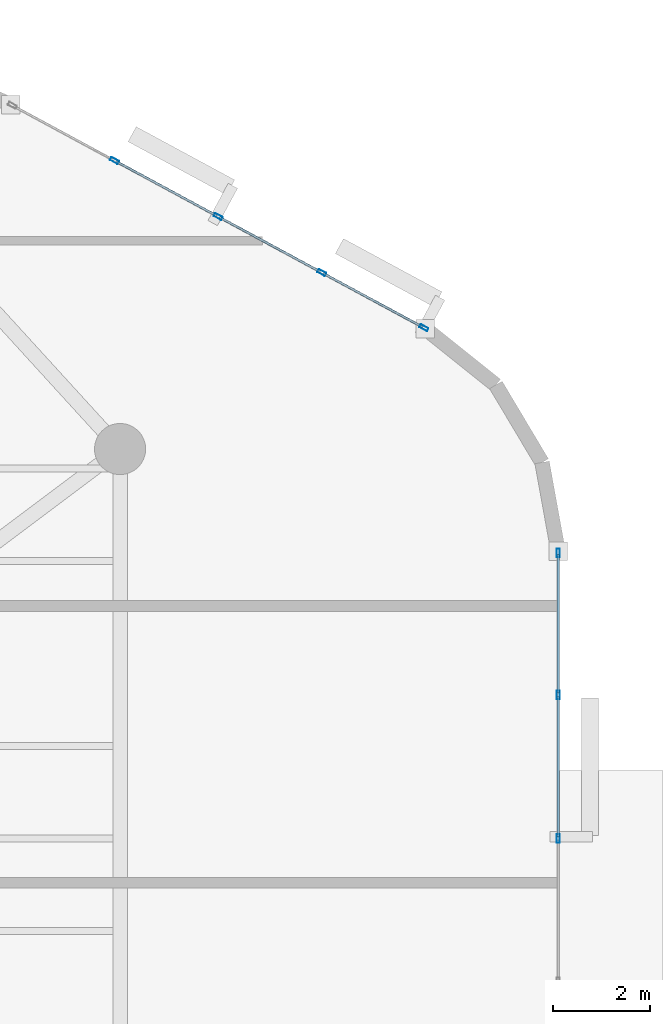
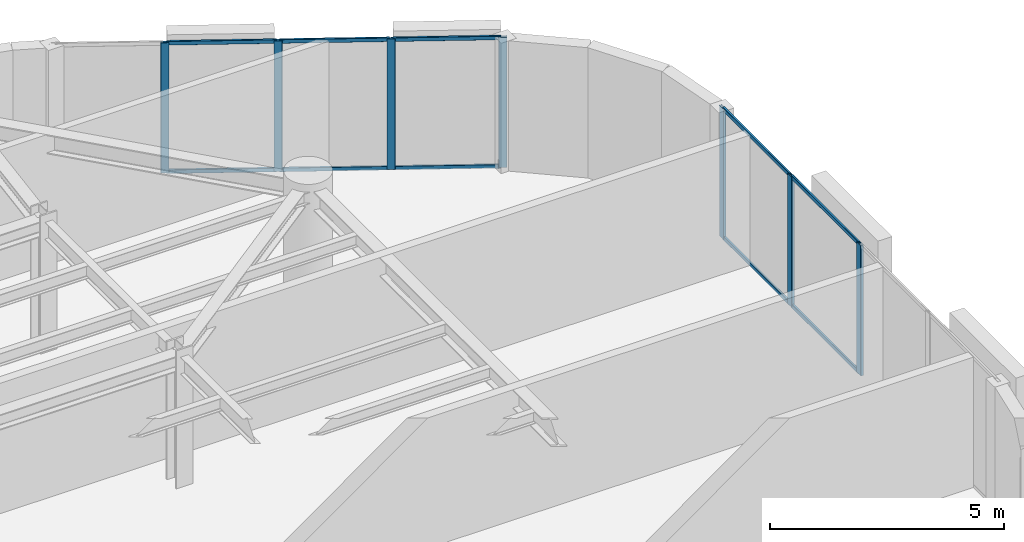
# One storey, part 6 of 13: 17 members, 2 elements without a shape of their own.
"""IFC4 building model written with IfcOpenShell, lengths in metres."""

from ifc_helpers import new_model, si_unit, direction, frame, origin, origin_2d, place, context, subcontext, project, spatial, hollow_rectangle, extrude, material, layer, layer_set, material_profile, profile_set, type_object, element, aggregate, save


model = new_model("IFC4")

# Units and contexts
model_context = context("Model", 3, precision=1e-05, world=origin(), true_north=direction((0.0, 1.0)))
body_context = subcontext(model_context, "Body", "Model", "MODEL_VIEW")
ifc_project = project(units=[si_unit("LENGTHUNIT", "METRE"), si_unit("AREAUNIT", "SQUARE_METRE"), si_unit("VOLUMEUNIT", "CUBIC_METRE"), si_unit("PLANEANGLEUNIT", "RADIAN"), si_unit("MASSUNIT", "GRAM", prefix="KILO")], contexts=[model_context])

# Site, building, storey
site_placement = place(None, origin())
site = spatial("IfcSite", under=ifc_project, at=site_placement, CompositionType="ELEMENT")
building_placement = place(site_placement, origin())
building = spatial("IfcBuilding", under=site, at=building_placement, Name="An Khanh Terracotta Commons", CompositionType="ELEMENT")
storey_placement = place(building_placement, frame((0.0, 0.0, 222.89990234375)))
storey = spatial("IfcBuildingStorey", under=building, at=storey_placement, Name="L58", CompositionType="ELEMENT", Elevation=222.89990234375)

# Curtain wall, members
ifc_material = material(Name="Anodised Aluminium 6063-T6", Category="aluminium")
ifc_layer = layer(ifc_material, 0.2099609375, Name="Anodised Aluminium 6063-T6")
ifc_layer_set = layer_set([ifc_layer], Name="Anodised Aluminium 6063-T6")
curtain_wall_type = type_object("IfcCurtainWallType", Name="CW-SYS-03", PredefinedType="USERDEFINED", material=ifc_layer_set)
curtain_wall_1_placement = place(storey_placement, origin())
curtain_wall_1 = element("IfcCurtainWall", 1, at=curtain_wall_1_placement, inside=storey, type_object=curtain_wall_type, Name="L58 CW-03 Unitised Curtain Wall CW-L58-12", ObjectType="UNITISED CURTAIN WALL", PredefinedType="USERDEFINED")
ifc_material_profile_1 = material_profile(ifc_material, hollow_rectangle(XDim=0.070068359375, YDim=0.179931640625, WallThickness=0.00390625, InnerFilletRadius=0.00390625, OuterFilletRadius=0.008056640625, at=origin_2d()), Name="RHS180x70x4")
ifc_profile_set_1 = profile_set([ifc_material_profile_1], Name="Anodised Aluminium 6063-T6")
member_type_1 = type_object("IfcMemberType", Name="CWM-RHS180x70x4", PredefinedType="MULLION", material=ifc_profile_set_1)
member_1_placement = place(storey_placement, frame((68.60009765625, 24.0, 0.0), z_axis=(0.0, 0.0, 1.0), x_axis=(-1.0, 0.0, 0.0)))
member_1 = element("IfcMember", 2, at=member_1_placement, type_object=member_type_1, Name="CW-03 mullion 3", PredefinedType="MULLION", context=body_context, shape_type="SweptSolid", body=[
    extrude(hollow_rectangle(XDim=0.070068359375, YDim=0.179931640625, WallThickness=0.00390625, InnerFilletRadius=0.00390625, OuterFilletRadius=0.008056640625, at=origin_2d()), origin(), (0.0, 0.0, 1.0), 3.400146484375),
])
member_2_placement = place(storey_placement, frame((68.60009765625, 26.949462890625, 0.0), z_axis=(0.0, 0.0, 1.0), x_axis=(-1.0, 0.0, 0.0)))
member_2 = element("IfcMember", 3, at=member_2_placement, type_object=member_type_1, Name="CW-03 mullion 4", PredefinedType="MULLION", context=body_context, shape_type="SweptSolid", body=[
    extrude(hollow_rectangle(XDim=0.070068359375, YDim=0.179931640625, WallThickness=0.00390625, InnerFilletRadius=0.00390625, OuterFilletRadius=0.008056640625, at=origin_2d()), origin(), (0.0, 0.0, 1.0), 3.400146484375),
])
member_3_placement = place(storey_placement, frame((68.60009765625, 29.864013671875, 0.0), z_axis=(0.0, 0.0, 1.0), x_axis=(-1.0, 0.0, 0.0)))
member_3 = element("IfcMember", 4, at=member_3_placement, type_object=member_type_1, Name="CW-03 mullion 5", PredefinedType="MULLION", context=body_context, shape_type="SweptSolid", body=[
    extrude(hollow_rectangle(XDim=0.070068359375, YDim=0.179931640625, WallThickness=0.00390625, InnerFilletRadius=0.00390625, OuterFilletRadius=0.008056640625, at=origin_2d()), origin(), (0.0, 0.0, 1.0), 3.400146484375),
])

curtain_wall_2_placement = place(storey_placement, origin())
curtain_wall_2 = element("IfcCurtainWall", 5, at=curtain_wall_2_placement, inside=storey, type_object=curtain_wall_type, Name="L58 CW-03 Unitised Curtain Wall CW-L58-16", ObjectType="UNITISED CURTAIN WALL", PredefinedType="USERDEFINED")
member_4_placement = place(storey_placement, frame((65.84130859375, 34.49072265625, 0.0), z_axis=(0.0, 0.0, 1.0), x_axis=(-0.47538088298, -0.879780095306, 0.0)))
member_4 = element("IfcMember", 6, at=member_4_placement, type_object=member_type_1, Name="CW-03 mullion 1", PredefinedType="MULLION", context=body_context, shape_type="SweptSolid", body=[
    extrude(hollow_rectangle(XDim=0.070068359375, YDim=0.179931640625, WallThickness=0.00390625, InnerFilletRadius=0.00390625, OuterFilletRadius=0.008056640625, at=origin_2d()), origin(), (0.0, 0.0, 1.0), 3.400146484375),
])
member_5_placement = place(storey_placement, frame((63.7431640625, 35.624267578125, 0.0), z_axis=(0.0, 0.0, 1.0), x_axis=(-0.47538088298, -0.879780095306, 0.0)))
member_5 = element("IfcMember", 7, at=member_5_placement, type_object=member_type_1, Name="CW-03 mullion 2", PredefinedType="MULLION", context=body_context, shape_type="SweptSolid", body=[
    extrude(hollow_rectangle(XDim=0.070068359375, YDim=0.179931640625, WallThickness=0.00390625, InnerFilletRadius=0.00390625, OuterFilletRadius=0.008056640625, at=origin_2d()), origin(), (0.0, 0.0, 1.0), 3.400146484375),
])
member_6_placement = place(storey_placement, frame((61.614501953125, 36.7744140625, 0.0), z_axis=(0.0, 0.0, 1.0), x_axis=(-0.47538088298, -0.879780095306, 0.0)))
member_6 = element("IfcMember", 8, at=member_6_placement, type_object=member_type_1, Name="CW-03 mullion 3", PredefinedType="MULLION", context=body_context, shape_type="SweptSolid", body=[
    extrude(hollow_rectangle(XDim=0.070068359375, YDim=0.179931640625, WallThickness=0.00390625, InnerFilletRadius=0.00390625, OuterFilletRadius=0.008056640625, at=origin_2d()), origin(), (0.0, 0.0, 1.0), 3.400146484375),
])
member_7_placement = place(storey_placement, frame((59.48583984375, 37.9248046875, 0.0), z_axis=(0.0, 0.0, 1.0), x_axis=(-0.47538088298, -0.879780095306, 0.0)))
member_7 = element("IfcMember", 9, at=member_7_placement, type_object=member_type_1, Name="CW-03 mullion 4", PredefinedType="MULLION", context=body_context, shape_type="SweptSolid", body=[
    extrude(hollow_rectangle(XDim=0.070068359375, YDim=0.179931640625, WallThickness=0.00390625, InnerFilletRadius=0.00390625, OuterFilletRadius=0.008056640625, at=origin_2d()), origin(), (0.0, 0.0, 1.0), 3.400146484375),
])

# Member
ifc_material_profile_2 = material_profile(ifc_material, hollow_rectangle(XDim=0.050048828125, YDim=0.10009765625, WallThickness=0.003173828125, InnerFilletRadius=0.003173828125, OuterFilletRadius=0.00634765625, at=origin_2d()), Name="RHS100x50x3.2")
ifc_profile_set_2 = profile_set([ifc_material_profile_2], Name="Anodised Aluminium 6063-T6")
member_type_2 = type_object("IfcMemberType", Name="CWT-RHS100x50x3.2", PredefinedType="USERDEFINED", material=ifc_profile_set_2)
member_8_placement = place(storey_placement, frame((68.60009765625, 24.034912109375, 0.025146484375), z_axis=(0.0, 1.0, 0.0), x_axis=(-1.0, 0.0, 0.0)))
member_8 = element("IfcMember", 10, at=member_8_placement, type_object=member_type_2, Name="CW-03 transom 3.1", ObjectType="TRANSOM", PredefinedType="USERDEFINED", context=body_context, shape_type="SweptSolid", body=[
    extrude(hollow_rectangle(XDim=0.050048828125, YDim=0.10009765625, WallThickness=0.003173828125, InnerFilletRadius=0.003173828125, OuterFilletRadius=0.00634765625, at=origin_2d()), origin(), (0.0, 0.0, 1.0), 2.879638671875),
])

member_9_placement = place(storey_placement, frame((68.60009765625, 24.034912109375, 3.375), z_axis=(0.0, 1.0, 0.0), x_axis=(-1.0, 0.0, 0.0)))
member_9 = element("IfcMember", 11, at=member_9_placement, type_object=member_type_2, Name="CW-03 transom 3.2", ObjectType="TRANSOM", PredefinedType="USERDEFINED", context=body_context, shape_type="SweptSolid", body=[
    extrude(hollow_rectangle(XDim=0.050048828125, YDim=0.10009765625, WallThickness=0.003173828125, InnerFilletRadius=0.003173828125, OuterFilletRadius=0.00634765625, at=origin_2d()), origin(), (0.0, 0.0, 1.0), 2.879638671875),
])

member_10_placement = place(storey_placement, frame((68.60009765625, 26.984619140625, 0.025146484375), z_axis=(0.0, 1.0, 0.0), x_axis=(-1.0, 0.0, 0.0)))
member_10 = element("IfcMember", 12, at=member_10_placement, type_object=member_type_2, Name="CW-03 transom 4.1", ObjectType="TRANSOM", PredefinedType="USERDEFINED", context=body_context, shape_type="SweptSolid", body=[
    extrude(hollow_rectangle(XDim=0.050048828125, YDim=0.10009765625, WallThickness=0.003173828125, InnerFilletRadius=0.003173828125, OuterFilletRadius=0.00634765625, at=origin_2d()), origin(), (0.0, 0.0, 1.0), 2.844482421875),
])

member_11_placement = place(storey_placement, frame((68.60009765625, 26.984619140625, 3.375), z_axis=(0.0, 1.0, 0.0), x_axis=(-1.0, 0.0, 0.0)))
member_11 = element("IfcMember", 13, at=member_11_placement, type_object=member_type_2, Name="CW-03 transom 4.2", ObjectType="TRANSOM", PredefinedType="USERDEFINED", context=body_context, shape_type="SweptSolid", body=[
    extrude(hollow_rectangle(XDim=0.050048828125, YDim=0.10009765625, WallThickness=0.003173828125, InnerFilletRadius=0.003173828125, OuterFilletRadius=0.00634765625, at=origin_2d()), origin(), (0.0, 0.0, 1.0), 2.844482421875),
])

aggregate(curtain_wall_1, [member_1, member_2, member_3, member_8, member_9, member_10, member_11])

member_12_placement = place(storey_placement, frame((65.810302734375, 34.50732421875, 0.025146484375), z_axis=(-0.879779245677, 0.475382455373, 0.0), x_axis=(-0.475382455373, -0.879779245677, 0.0)))
member_12 = element("IfcMember", 14, at=member_12_placement, type_object=member_type_2, Name="CW-03 transom 1.1", ObjectType="TRANSOM", PredefinedType="USERDEFINED", context=body_context, shape_type="SweptSolid", body=[
    extrude(hollow_rectangle(XDim=0.050048828125, YDim=0.10009765625, WallThickness=0.003173828125, InnerFilletRadius=0.003173828125, OuterFilletRadius=0.00634765625, at=origin_2d()), origin(), (0.0, 0.0, 1.0), 2.314697265625),
])

member_13_placement = place(storey_placement, frame((65.810302734375, 34.50732421875, 3.375), z_axis=(-0.879779245677, 0.475382455373, 0.0), x_axis=(-0.475382455373, -0.879779245677, 0.0)))
member_13 = element("IfcMember", 15, at=member_13_placement, type_object=member_type_2, Name="CW-03 transom 1.2", ObjectType="TRANSOM", PredefinedType="USERDEFINED", context=body_context, shape_type="SweptSolid", body=[
    extrude(hollow_rectangle(XDim=0.050048828125, YDim=0.10009765625, WallThickness=0.003173828125, InnerFilletRadius=0.003173828125, OuterFilletRadius=0.00634765625, at=origin_2d()), origin(), (0.0, 0.0, 1.0), 2.314697265625),
])

member_14_placement = place(storey_placement, frame((63.71240234375, 35.640869140625, 0.025146484375), z_axis=(-0.879782861449, 0.475375763686, 0.0), x_axis=(-0.475375763686, -0.879782861449, 0.0)))
member_14 = element("IfcMember", 16, at=member_14_placement, type_object=member_type_2, Name="CW-03 transom 2.1", ObjectType="TRANSOM", PredefinedType="USERDEFINED", context=body_context, shape_type="SweptSolid", body=[
    extrude(hollow_rectangle(XDim=0.050048828125, YDim=0.10009765625, WallThickness=0.003173828125, InnerFilletRadius=0.003173828125, OuterFilletRadius=0.00634765625, at=origin_2d()), origin(), (0.0, 0.0, 1.0), 2.349609375),
])

member_15_placement = place(storey_placement, frame((63.71240234375, 35.640869140625, 3.375), z_axis=(-0.879782861449, 0.475375763686, 0.0), x_axis=(-0.475375763686, -0.879782861449, 0.0)))
member_15 = element("IfcMember", 17, at=member_15_placement, type_object=member_type_2, Name="CW-03 transom 2.2", ObjectType="TRANSOM", PredefinedType="USERDEFINED", context=body_context, shape_type="SweptSolid", body=[
    extrude(hollow_rectangle(XDim=0.050048828125, YDim=0.10009765625, WallThickness=0.003173828125, InnerFilletRadius=0.003173828125, OuterFilletRadius=0.00634765625, at=origin_2d()), origin(), (0.0, 0.0, 1.0), 2.349609375),
])

member_16_placement = place(storey_placement, frame((61.583740234375, 36.791259765625, 0.025146484375), z_axis=(-0.879782861449, 0.475375763686, 0.0), x_axis=(-0.475375763686, -0.879782861449, 0.0)))
member_16 = element("IfcMember", 18, at=member_16_placement, type_object=member_type_2, Name="CW-03 transom 3.1", ObjectType="TRANSOM", PredefinedType="USERDEFINED", context=body_context, shape_type="SweptSolid", body=[
    extrude(hollow_rectangle(XDim=0.050048828125, YDim=0.10009765625, WallThickness=0.003173828125, InnerFilletRadius=0.003173828125, OuterFilletRadius=0.00634765625, at=origin_2d()), origin(), (0.0, 0.0, 1.0), 2.349609375),
])

member_17_placement = place(storey_placement, frame((61.583740234375, 36.791259765625, 3.375), z_axis=(-0.879782861449, 0.475375763686, 0.0), x_axis=(-0.475375763686, -0.879782861449, 0.0)))
member_17 = element("IfcMember", 19, at=member_17_placement, type_object=member_type_2, Name="CW-03 transom 3.2", ObjectType="TRANSOM", PredefinedType="USERDEFINED", context=body_context, shape_type="SweptSolid", body=[
    extrude(hollow_rectangle(XDim=0.050048828125, YDim=0.10009765625, WallThickness=0.003173828125, InnerFilletRadius=0.003173828125, OuterFilletRadius=0.00634765625, at=origin_2d()), origin(), (0.0, 0.0, 1.0), 2.349609375),
])

aggregate(curtain_wall_2, [member_4, member_5, member_6, member_7, member_12, member_13, member_14, member_15, member_16, member_17])

save(model, "model.ifc")
